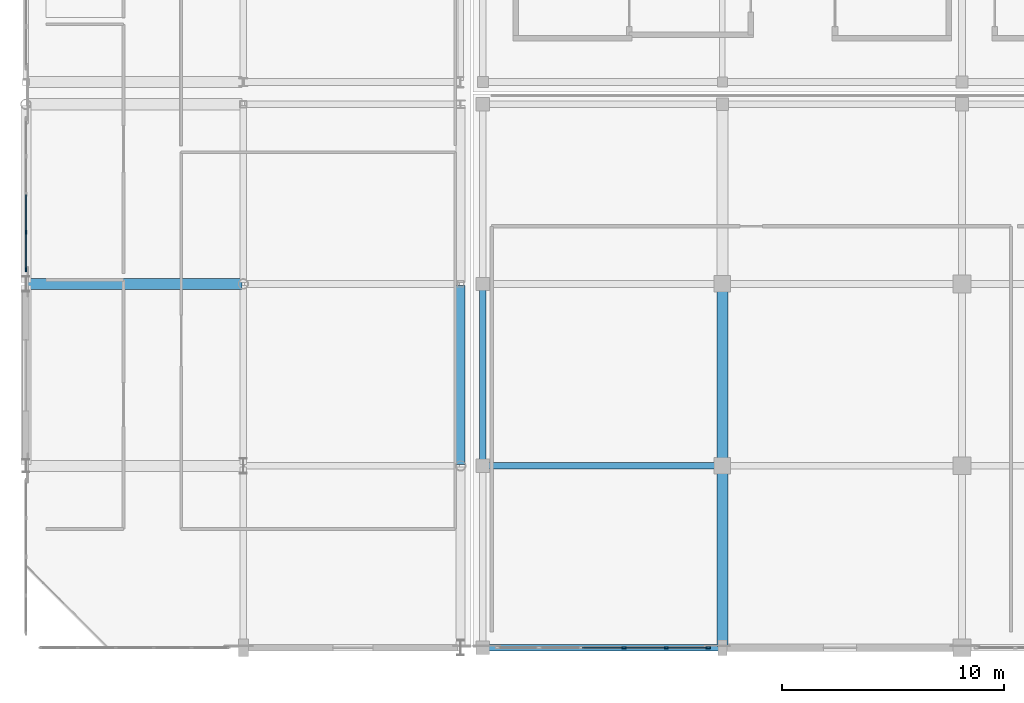
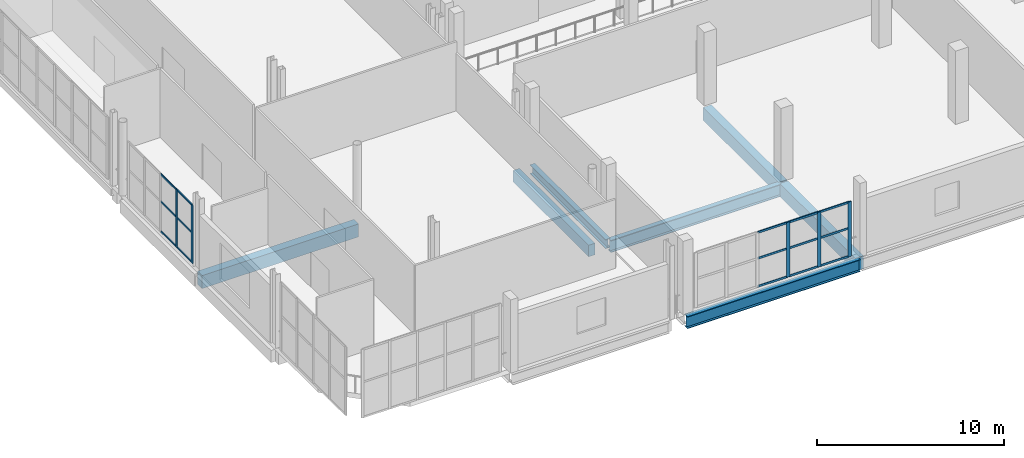
# One storey, part 13 of 129: 20 members, 7 beams, 2 elements without a shape of their own.
"""IFC4 building model written with IfcOpenShell, lengths in metres."""

from ifc_helpers import new_model, si_unit, direction, frame, origin, origin_2d, place, context, subcontext, project, spatial, rectangle, i_section, extrude, material, material_profile, profile_set, type_object, element, aggregate, save


model = new_model("IFC4")

# Units and contexts
model_context = context("Model", 3, precision=1e-05, world=origin(), true_north=direction((0.0, 1.0)))
body_context = subcontext(model_context, "Body", "Model", "MODEL_VIEW")
ifc_project = project(units=[si_unit("LENGTHUNIT", "METRE"), si_unit("AREAUNIT", "SQUARE_METRE"), si_unit("VOLUMEUNIT", "CUBIC_METRE"), si_unit("PLANEANGLEUNIT", "RADIAN"), si_unit("MASSUNIT", "GRAM", prefix="KILO")], contexts=[model_context])

# Site, building, storey
site_placement = place(None, origin())
site = spatial("IfcSite", under=ifc_project, at=site_placement, CompositionType="ELEMENT")
building_placement = place(site_placement, origin())
building = spatial("IfcBuilding", under=site, at=building_placement, Name="Koshinbarg Plaza Stadium", CompositionType="ELEMENT")
storey_placement = place(building_placement, frame((0.0, 0.0, 5.39990234375)))
storey = spatial("IfcBuildingStorey", under=building, at=storey_placement, Name="L01", CompositionType="ELEMENT", Elevation=5.39990234375)

# Beams
ifc_material_1 = material(Name="Concrete C40/50", Category="concrete")
ifc_material_profile_1 = material_profile(ifc_material_1, rectangle(XDim=0.39990234375, YDim=0.75, at=origin_2d()), Name="RC 400x750")
ifc_profile_set_1 = profile_set([ifc_material_profile_1], Name="Concrete C40/50")
beam_type_1 = type_object("IfcBeamType", Name="BM-RCG-03", PredefinedType="USERDEFINED", material=ifc_profile_set_1)
beam_1_placement = place(storey_placement, frame((23.60009765625, 8.260009765625, -0.69482421875), z_axis=(0.0, 1.0, 0.0), x_axis=(-1.0, 0.0, 0.0)))
element("IfcBeam", 1, at=beam_1_placement, inside=storey, type_object=beam_type_1, Name="L01 Y girder 4/B-C", ObjectType="GIRDER", PredefinedType="USERDEFINED", context=body_context, shape_type="SweptSolid", body=[
    extrude(rectangle(XDim=0.39990234375, YDim=0.75, at=origin_2d()), origin(), (0.0, 0.0, 1.0), 8.080078125),
])
ifc_material_profile_2 = material_profile(ifc_material_1, rectangle(XDim=0.5, YDim=0.85009765625, at=origin_2d()), Name="RC 500x850")
ifc_profile_set_2 = profile_set([ifc_material_profile_2], Name="Concrete C40/50")
beam_type_2 = type_object("IfcBeamType", Name="BM-RCG-05", PredefinedType="USERDEFINED", material=ifc_profile_set_2)
beam_2_placement = place(storey_placement, frame((4.06005859375, 16.39990234375, -0.744873046875), z_axis=(1.0, 0.0, 0.0), x_axis=(0.0, 1.0, 0.0)))
element("IfcBeam", 2, at=beam_2_placement, inside=storey, type_object=beam_type_2, Name="L01 X girder C/2-3", ObjectType="GIRDER", PredefinedType="USERDEFINED", context=body_context, shape_type="SweptSolid", body=[
    extrude(rectangle(XDim=0.5, YDim=0.85009765625, at=origin_2d()), origin(), (0.0, 0.0, 1.0), 9.679931640625),
])
beam_3_placement = place(storey_placement, frame((35.39990234375, 0.06005859375, -0.744873046875), z_axis=(0.0, 1.0, 0.0), x_axis=(-1.0, 0.0, 0.0)))
element("IfcBeam", 3, at=beam_3_placement, inside=storey, type_object=beam_type_2, Name="L01 Y girder 6/A-B", ObjectType="GIRDER", PredefinedType="USERDEFINED", context=body_context, shape_type="SweptSolid", body=[
    extrude(rectangle(XDim=0.5, YDim=0.85009765625, at=origin_2d()), origin(), (0.0, 0.0, 1.0), 8.079833984375),
])
beam_4_placement = place(storey_placement, frame((35.39990234375, 8.260009765625, -0.744873046875), z_axis=(0.0, 1.0, 0.0), x_axis=(-1.0, 0.0, 0.0)))
element("IfcBeam", 4, at=beam_4_placement, inside=storey, type_object=beam_type_2, Name="L01 Y girder 6/B-C", ObjectType="GIRDER", PredefinedType="USERDEFINED", context=body_context, shape_type="SweptSolid", body=[
    extrude(rectangle(XDim=0.5, YDim=0.85009765625, at=origin_2d()), origin(), (0.0, 0.0, 1.0), 8.080078125),
])
ifc_material_2 = material(Name="Steel S355", Category="steel")
ifc_material_profile_3 = material_profile(ifc_material_2, i_section(OverallWidth=0.300048828125, OverallDepth=0.60009765625, WebThickness=0.015380859375, FlangeThickness=0.030029296875, at=origin_2d()), Name="HEB 600")
ifc_profile_set_3 = profile_set([ifc_material_profile_3], Name="Steel S355")
beam_type_3 = type_object("IfcBeamType", Name="BM-SGIR-02", PredefinedType="USERDEFINED", material=ifc_profile_set_3)
beam_5_placement = place(storey_placement, frame((24.60009765625, 8.260009765625, -0.619873046875), z_axis=(0.0, 1.0, 0.0), x_axis=(-1.0, 0.0, 0.0)))
element("IfcBeam", 5, at=beam_5_placement, inside=storey, type_object=beam_type_3, Name="L01 Y girder 5/B-C", ObjectType="GIRDER", PredefinedType="USERDEFINED", context=body_context, shape_type="SweptSolid", body=[
    extrude(i_section(OverallWidth=0.300048828125, OverallDepth=0.60009765625, WebThickness=0.015380859375, FlangeThickness=0.030029296875, at=origin_2d()), origin(), (0.0, 0.0, 1.0), 8.080078125),
])
ifc_material_profile_4 = material_profile(ifc_material_2, i_section(OverallWidth=0.300048828125, OverallDepth=0.800048828125, WebThickness=0.017578125, FlangeThickness=0.032958984375, at=origin_2d()), Name="HEB 800")
ifc_profile_set_4 = profile_set([ifc_material_profile_4], Name="Steel S355")
beam_type_4 = type_object("IfcBeamType", Name="BM-SGIR-04", PredefinedType="USERDEFINED", material=ifc_profile_set_4)
for number, where, z_axis, x_axis, name in (
    (6, (24.659912109375, 0.0, -0.719970703125), (1.0, 0.0, 0.0), (0.0, 1.0, 0.0), "L01 X girder A/5-6"),
    (7, (24.659912109375, 8.199951171875, -0.719970703125), (1.0, 0.0, 0.0), (0.0, 1.0, 0.0), "L01 X girder B/5-6"),
):
    element("IfcBeam", number, at=place(storey_placement, frame(where, z_axis=z_axis, x_axis=x_axis)), inside=storey, type_object=beam_type_4, Name=name, ObjectType="GIRDER", PredefinedType="USERDEFINED", context=body_context, shape_type="SweptSolid", body=[
        extrude(i_section(OverallWidth=0.300048828125, OverallDepth=0.800048828125, WebThickness=0.017578125, FlangeThickness=0.032958984375, at=origin_2d()), origin(), (0.0, 0.0, 1.0), 10.68017578125),
    ])

# Curtain wall, members
ifc_material_3 = material(Name="Thermally broken anodised aluminium and low-E double glazing", Category="aluminium")
curtain_wall_type_1 = type_object("IfcCurtainWallType", Name="CW-SYS-03", PredefinedType="NOTDEFINED", material=ifc_material_3)
curtain_wall_1_placement = place(storey_placement, origin())
curtain_wall_1 = element("IfcCurtainWall", 8, at=curtain_wall_1_placement, inside=storey, type_object=curtain_wall_type_1, Name="L01 unitised curtain wall CW-L01-002", PredefinedType="NOTDEFINED")
ifc_material_4 = material(Name="Anodised aluminium mullion", Category="aluminium")
ifc_material_profile_5 = material_profile(ifc_material_4, rectangle(XDim=0.070068359375, YDim=0.179931640625, at=origin_2d()), Name="ALU 70x180")
ifc_profile_set_5 = profile_set([ifc_material_profile_5], Name="Anodised aluminium mullion")
member_type_1 = type_object("IfcMemberType", Name="CW-MUL-03", PredefinedType="MULLION", material=ifc_profile_set_5)
member_1_placement = place(storey_placement, frame((4.0, 17.050048828125, 0.0), z_axis=(0.0, 0.0, 1.0), x_axis=(-1.0, 0.0, 0.0)))
member_1 = element("IfcMember", 9, at=member_1_placement, type_object=member_type_1, Name="CW03 mullion 1", PredefinedType="MULLION", context=body_context, shape_type="SweptSolid", body=[
    extrude(rectangle(XDim=0.070068359375, YDim=0.179931640625, at=origin_2d()), origin(), (0.0, 0.0, 1.0), 3.780029296875),
])
member_2_placement = place(storey_placement, frame((4.0, 18.735107421875, 0.0), z_axis=(0.0, 0.0, 1.0), x_axis=(-1.0, 0.0, 0.0)))
member_2 = element("IfcMember", 10, at=member_2_placement, type_object=member_type_1, Name="CW03 mullion 2", PredefinedType="MULLION", context=body_context, shape_type="SweptSolid", body=[
    extrude(rectangle(XDim=0.070068359375, YDim=0.179931640625, at=origin_2d()), origin(), (0.0, 0.0, 1.0), 3.780029296875),
])

curtain_wall_type_2 = type_object("IfcCurtainWallType", Name="CW-SYS-04", PredefinedType="NOTDEFINED", material=ifc_material_3)
curtain_wall_2_placement = place(storey_placement, origin())
curtain_wall_2 = element("IfcCurtainWall", 11, at=curtain_wall_2_placement, inside=storey, type_object=curtain_wall_type_2, Name="L01 unitised curtain wall CW-L01-035", PredefinedType="NOTDEFINED")
ifc_material_profile_6 = material_profile(ifc_material_4, rectangle(XDim=0.070068359375, YDim=0.199951171875, at=origin_2d()), Name="ALU 70x200")
ifc_profile_set_6 = profile_set([ifc_material_profile_6], Name="Anodised aluminium mullion")
member_type_2 = type_object("IfcMemberType", Name="CW-MUL-04", PredefinedType="MULLION", material=ifc_profile_set_6)
member_3_placement = place(storey_placement, frame((34.75, 0.0, 0.0), z_axis=(0.0, 0.0, 1.0), x_axis=(0.0, -1.0, 0.0)))
member_3 = element("IfcMember", 12, at=member_3_placement, type_object=member_type_2, Name="CW04 mullion 1", PredefinedType="MULLION", context=body_context, shape_type="SweptSolid", body=[
    extrude(rectangle(XDim=0.070068359375, YDim=0.199951171875, at=origin_2d()), origin(), (0.0, 0.0, 1.0), 3.580078125),
])
member_4_placement = place(storey_placement, frame((32.867919921875, 0.0, 0.0), z_axis=(0.0, 0.0, 1.0), x_axis=(0.0, -1.0, 0.0)))
member_4 = element("IfcMember", 13, at=member_4_placement, type_object=member_type_2, Name="CW04 mullion 2", PredefinedType="MULLION", context=body_context, shape_type="SweptSolid", body=[
    extrude(rectangle(XDim=0.070068359375, YDim=0.199951171875, at=origin_2d()), origin(), (0.0, 0.0, 1.0), 3.580078125),
])
member_5_placement = place(storey_placement, frame((30.9560546875, 0.0, 0.0), z_axis=(0.0, 0.0, 1.0), x_axis=(0.0, -1.0, 0.0)))
member_5 = element("IfcMember", 14, at=member_5_placement, type_object=member_type_2, Name="CW04 mullion 3", PredefinedType="MULLION", context=body_context, shape_type="SweptSolid", body=[
    extrude(rectangle(XDim=0.070068359375, YDim=0.199951171875, at=origin_2d()), origin(), (0.0, 0.0, 1.0), 3.580078125),
])

# Member
ifc_material_5 = material(Name="Anodised aluminium transom", Category="aluminium")
ifc_material_profile_7 = material_profile(ifc_material_5, rectangle(XDim=0.06005859375, YDim=0.110107421875, at=origin_2d()), Name="ALU 60x110")
ifc_profile_set_7 = profile_set([ifc_material_profile_7], Name="Anodised aluminium transom")
member_type_3 = type_object("IfcMemberType", Name="CW-TRN-01", PredefinedType="USERDEFINED", material=ifc_profile_set_7)
member_6_placement = place(storey_placement, frame((4.0, 17.080078125, 0.030029296875), z_axis=(0.0, 1.0, 0.0), x_axis=(-1.0, 0.0, 0.0)))
member_6 = element("IfcMember", 15, at=member_6_placement, type_object=member_type_3, Name="CW03 transom 1.1", ObjectType="TRANSOM", PredefinedType="USERDEFINED", context=body_context, shape_type="SweptSolid", body=[
    extrude(rectangle(XDim=0.06005859375, YDim=0.110107421875, at=origin_2d()), origin(), (0.0, 0.0, 1.0), 1.625),
])

member_7_placement = place(storey_placement, frame((4.0, 17.080078125, 1.965576171875), z_axis=(0.0, 1.0, 0.0), x_axis=(-1.0, 0.0, 0.0)))
member_7 = element("IfcMember", 16, at=member_7_placement, type_object=member_type_3, Name="CW03 transom 1.2", ObjectType="TRANSOM", PredefinedType="USERDEFINED", context=body_context, shape_type="SweptSolid", body=[
    extrude(rectangle(XDim=0.06005859375, YDim=0.110107421875, at=origin_2d()), origin(), (0.0, 0.0, 1.0), 1.625),
])

member_8_placement = place(storey_placement, frame((4.0, 17.080078125, 3.75), z_axis=(0.0, 1.0, 0.0), x_axis=(-1.0, 0.0, 0.0)))
member_8 = element("IfcMember", 17, at=member_8_placement, type_object=member_type_3, Name="CW03 transom 1.3", ObjectType="TRANSOM", PredefinedType="USERDEFINED", context=body_context, shape_type="SweptSolid", body=[
    extrude(rectangle(XDim=0.06005859375, YDim=0.110107421875, at=origin_2d()), origin(), (0.0, 0.0, 1.0), 1.625),
])

member_9_placement = place(storey_placement, frame((4.0, 18.764892578125, 0.030029296875), z_axis=(0.0, 1.0, 0.0), x_axis=(-1.0, 0.0, 0.0)))
member_9 = element("IfcMember", 18, at=member_9_placement, type_object=member_type_3, Name="CW03 transom 2.1", ObjectType="TRANSOM", PredefinedType="USERDEFINED", context=body_context, shape_type="SweptSolid", body=[
    extrude(rectangle(XDim=0.06005859375, YDim=0.110107421875, at=origin_2d()), origin(), (0.0, 0.0, 1.0), 1.655029296875),
])

member_10_placement = place(storey_placement, frame((4.0, 18.764892578125, 1.965576171875), z_axis=(0.0, 1.0, 0.0), x_axis=(-1.0, 0.0, 0.0)))
member_10 = element("IfcMember", 19, at=member_10_placement, type_object=member_type_3, Name="CW03 transom 2.2", ObjectType="TRANSOM", PredefinedType="USERDEFINED", context=body_context, shape_type="SweptSolid", body=[
    extrude(rectangle(XDim=0.06005859375, YDim=0.110107421875, at=origin_2d()), origin(), (0.0, 0.0, 1.0), 1.655029296875),
])

member_11_placement = place(storey_placement, frame((4.0, 18.764892578125, 3.75), z_axis=(0.0, 1.0, 0.0), x_axis=(-1.0, 0.0, 0.0)))
member_11 = element("IfcMember", 20, at=member_11_placement, type_object=member_type_3, Name="CW03 transom 2.3", ObjectType="TRANSOM", PredefinedType="USERDEFINED", context=body_context, shape_type="SweptSolid", body=[
    extrude(rectangle(XDim=0.06005859375, YDim=0.110107421875, at=origin_2d()), origin(), (0.0, 0.0, 1.0), 1.655029296875),
])

aggregate(curtain_wall_1, [member_1, member_2, member_6, member_7, member_8, member_9, member_10, member_11])

ifc_material_profile_8 = material_profile(ifc_material_5, rectangle(XDim=0.06005859375, YDim=0.1298828125, at=origin_2d()), Name="ALU 60x130")
ifc_profile_set_8 = profile_set([ifc_material_profile_8], Name="Anodised aluminium transom")
member_type_4 = type_object("IfcMemberType", Name="CW-TRN-02", PredefinedType="USERDEFINED", material=ifc_profile_set_8)
member_12_placement = place(storey_placement, frame((34.719970703125, 0.0, 0.030029296875), z_axis=(-1.0, 0.0, 0.0), x_axis=(0.0, -1.0, 0.0)))
member_12 = element("IfcMember", 21, at=member_12_placement, type_object=member_type_4, Name="CW04 transom 1.1", ObjectType="TRANSOM", PredefinedType="USERDEFINED", context=body_context, shape_type="SweptSolid", body=[
    extrude(rectangle(XDim=0.06005859375, YDim=0.1298828125, at=origin_2d()), origin(), (0.0, 0.0, 1.0), 1.822021484375),
])

member_13_placement = place(storey_placement, frame((34.719970703125, 0.0, 1.86181640625), z_axis=(-1.0, 0.0, 0.0), x_axis=(0.0, -1.0, 0.0)))
member_13 = element("IfcMember", 22, at=member_13_placement, type_object=member_type_4, Name="CW04 transom 1.2", ObjectType="TRANSOM", PredefinedType="USERDEFINED", context=body_context, shape_type="SweptSolid", body=[
    extrude(rectangle(XDim=0.06005859375, YDim=0.1298828125, at=origin_2d()), origin(), (0.0, 0.0, 1.0), 1.822021484375),
])

member_14_placement = place(storey_placement, frame((34.719970703125, 0.0, 3.550048828125), z_axis=(-1.0, 0.0, 0.0), x_axis=(0.0, -1.0, 0.0)))
member_14 = element("IfcMember", 23, at=member_14_placement, type_object=member_type_4, Name="CW04 transom 1.3", ObjectType="TRANSOM", PredefinedType="USERDEFINED", context=body_context, shape_type="SweptSolid", body=[
    extrude(rectangle(XDim=0.06005859375, YDim=0.1298828125, at=origin_2d()), origin(), (0.0, 0.0, 1.0), 1.822021484375),
])

member_15_placement = place(storey_placement, frame((32.837890625, 0.0, 0.030029296875), z_axis=(-1.0, 0.0, 0.0), x_axis=(0.0, -1.0, 0.0)))
member_15 = element("IfcMember", 24, at=member_15_placement, type_object=member_type_4, Name="CW04 transom 2.1", ObjectType="TRANSOM", PredefinedType="USERDEFINED", context=body_context, shape_type="SweptSolid", body=[
    extrude(rectangle(XDim=0.06005859375, YDim=0.1298828125, at=origin_2d()), origin(), (0.0, 0.0, 1.0), 1.851806640625),
])

member_16_placement = place(storey_placement, frame((32.837890625, 0.0, 1.86181640625), z_axis=(-1.0, 0.0, 0.0), x_axis=(0.0, -1.0, 0.0)))
member_16 = element("IfcMember", 25, at=member_16_placement, type_object=member_type_4, Name="CW04 transom 2.2", ObjectType="TRANSOM", PredefinedType="USERDEFINED", context=body_context, shape_type="SweptSolid", body=[
    extrude(rectangle(XDim=0.06005859375, YDim=0.1298828125, at=origin_2d()), origin(), (0.0, 0.0, 1.0), 1.851806640625),
])

member_17_placement = place(storey_placement, frame((32.837890625, 0.0, 3.550048828125), z_axis=(-1.0, 0.0, 0.0), x_axis=(0.0, -1.0, 0.0)))
member_17 = element("IfcMember", 26, at=member_17_placement, type_object=member_type_4, Name="CW04 transom 2.3", ObjectType="TRANSOM", PredefinedType="USERDEFINED", context=body_context, shape_type="SweptSolid", body=[
    extrude(rectangle(XDim=0.06005859375, YDim=0.1298828125, at=origin_2d()), origin(), (0.0, 0.0, 1.0), 1.851806640625),
])

member_18_placement = place(storey_placement, frame((30.926025390625, 0.0, 0.030029296875), z_axis=(-1.0, 0.0, 0.0), x_axis=(0.0, -1.0, 0.0)))
member_18 = element("IfcMember", 27, at=member_18_placement, type_object=member_type_4, Name="CW04 transom 3.1", ObjectType="TRANSOM", PredefinedType="USERDEFINED", context=body_context, shape_type="SweptSolid", body=[
    extrude(rectangle(XDim=0.06005859375, YDim=0.1298828125, at=origin_2d()), origin(), (0.0, 0.0, 1.0), 1.85205078125),
])

member_19_placement = place(storey_placement, frame((30.926025390625, 0.0, 1.86181640625), z_axis=(-1.0, 0.0, 0.0), x_axis=(0.0, -1.0, 0.0)))
member_19 = element("IfcMember", 28, at=member_19_placement, type_object=member_type_4, Name="CW04 transom 3.2", ObjectType="TRANSOM", PredefinedType="USERDEFINED", context=body_context, shape_type="SweptSolid", body=[
    extrude(rectangle(XDim=0.06005859375, YDim=0.1298828125, at=origin_2d()), origin(), (0.0, 0.0, 1.0), 1.85205078125),
])

member_20_placement = place(storey_placement, frame((30.926025390625, 0.0, 3.550048828125), z_axis=(-1.0, 0.0, 0.0), x_axis=(0.0, -1.0, 0.0)))
member_20 = element("IfcMember", 29, at=member_20_placement, type_object=member_type_4, Name="CW04 transom 3.3", ObjectType="TRANSOM", PredefinedType="USERDEFINED", context=body_context, shape_type="SweptSolid", body=[
    extrude(rectangle(XDim=0.06005859375, YDim=0.1298828125, at=origin_2d()), origin(), (0.0, 0.0, 1.0), 1.85205078125),
])

aggregate(curtain_wall_2, [member_3, member_4, member_5, member_12, member_13, member_14, member_15, member_16, member_17, member_18, member_19, member_20])

save(model, "model.ifc")
